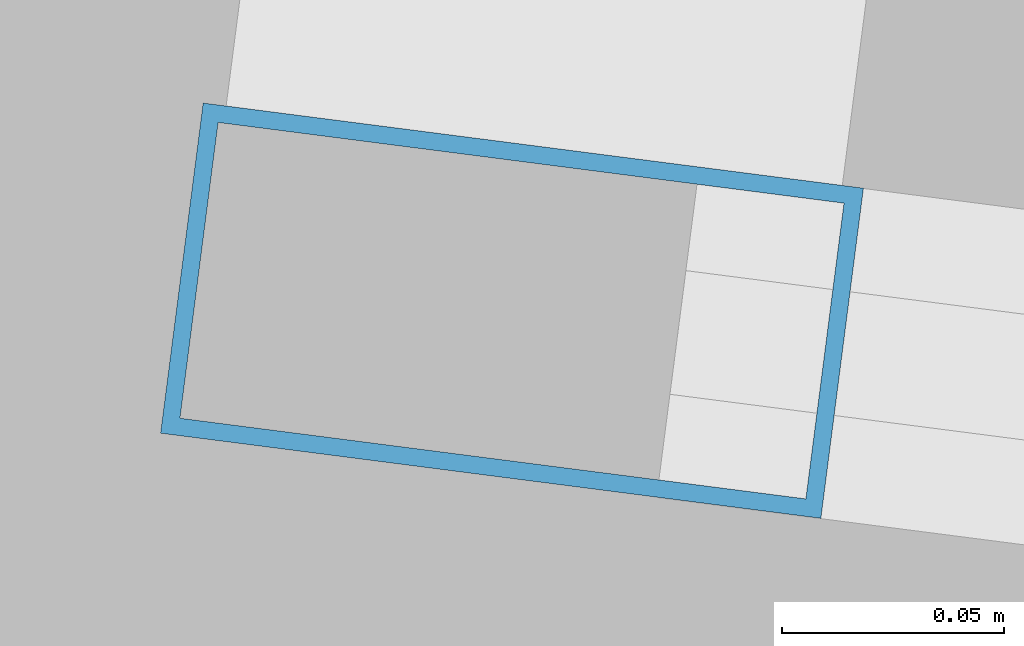
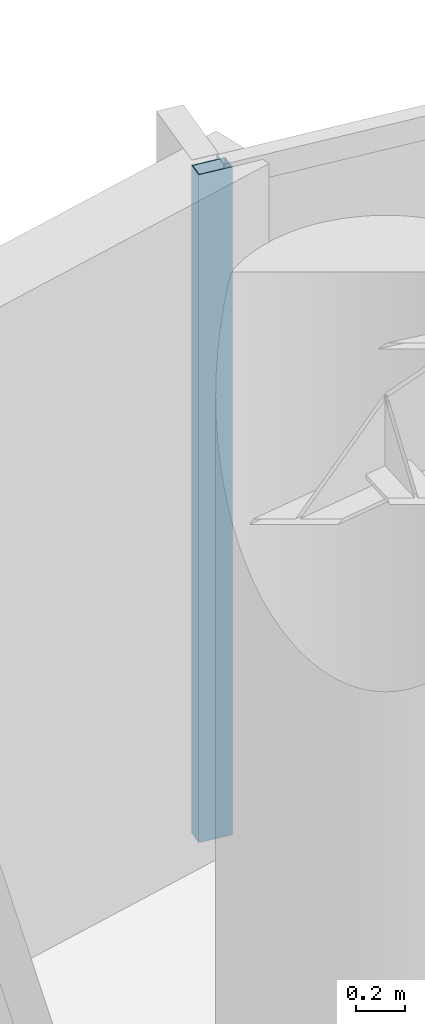
# One storey, part 22 of 30: 1 member, 1 element without a shape of its own.
"""IFC4 building model written with IfcOpenShell, lengths in metres."""

from ifc_helpers import new_model, si_unit, direction, frame, origin, origin_2d, place, context, subcontext, project, spatial, hollow_rectangle, extrude, material, layer, layer_set, material_profile, profile_set, type_object, element, aggregate, save


model = new_model("IFC4")

# Units and contexts
model_context = context("Model", 3, precision=1e-05, world=origin(), true_north=direction((0.0, 1.0)))
body_context = subcontext(model_context, "Body", "Model", "MODEL_VIEW")
ifc_project = project(units=[si_unit("LENGTHUNIT", "METRE"), si_unit("AREAUNIT", "SQUARE_METRE"), si_unit("VOLUMEUNIT", "CUBIC_METRE"), si_unit("PLANEANGLEUNIT", "RADIAN"), si_unit("MASSUNIT", "GRAM", prefix="KILO")], contexts=[model_context])

# Site, building, storey
site_placement = place(None, origin())
site = spatial("IfcSite", under=ifc_project, at=site_placement, CompositionType="ELEMENT")
building_placement = place(site_placement, origin())
building = spatial("IfcBuilding", under=site, at=building_placement, Name="Kazevale Care Tower and Concert Hall", CompositionType="ELEMENT")
storey_placement = place(building_placement, frame((0.0, 0.0, 70.800048828125)))
storey = spatial("IfcBuildingStorey", under=building, at=storey_placement, Name="L18", CompositionType="ELEMENT", Elevation=70.800048828125)

# Curtain wall, member
ifc_material_1 = material(Name="Aluminium 6063-T6 and Low-E Glass", Category="aluminium")
ifc_layer = layer(ifc_material_1, 0.179931640625)
ifc_layer_set = layer_set([ifc_layer], Name="Aluminium 6063-T6 and Low-E Glass")
curtain_wall_type = type_object("IfcCurtainWallType", Name="Convex Recessed Sunroom Curtain Wall CW-3", PredefinedType="NOTDEFINED", material=ifc_layer_set)
curtain_wall_placement = place(storey_placement, origin())
curtain_wall = element("IfcCurtainWall", 1, at=curtain_wall_placement, inside=storey, type_object=curtain_wall_type, Name="cw:L18:f16", PredefinedType="NOTDEFINED")
ifc_material_2 = material(Name="Aluminium 6063-T6", Category="aluminium")
ifc_material_profile = material_profile(ifc_material_2, hollow_rectangle(XDim=0.074951171875, YDim=0.14990234375, WallThickness=0.00390625, at=origin_2d()), Name="ALU75x150x4")
ifc_profile_set = profile_set([ifc_material_profile], Name="Aluminium 6063-T6")
member_type = type_object("IfcMemberType", Name="CW-3 Mullion ALU75x150x4", PredefinedType="MULLION", material=ifc_profile_set)
member_placement = place(storey_placement, frame((45.0791015625, 64.21728515625, 0.0), z_axis=(0.0, 0.0, 1.0), x_axis=(0.127869904852, 0.991790949461, 0.0)))
member = element("IfcMember", 2, at=member_placement, type_object=member_type, Name="CW-3 mullion 1", PredefinedType="MULLION", context=body_context, shape_type="SweptSolid", body=[
    extrude(hollow_rectangle(XDim=0.074951171875, YDim=0.14990234375, WallThickness=0.00390625, at=origin_2d()), origin(), (0.0, 0.0, 1.0), 3.35986328125),
])
aggregate(curtain_wall, [member])

save(model, "model.ifc")
